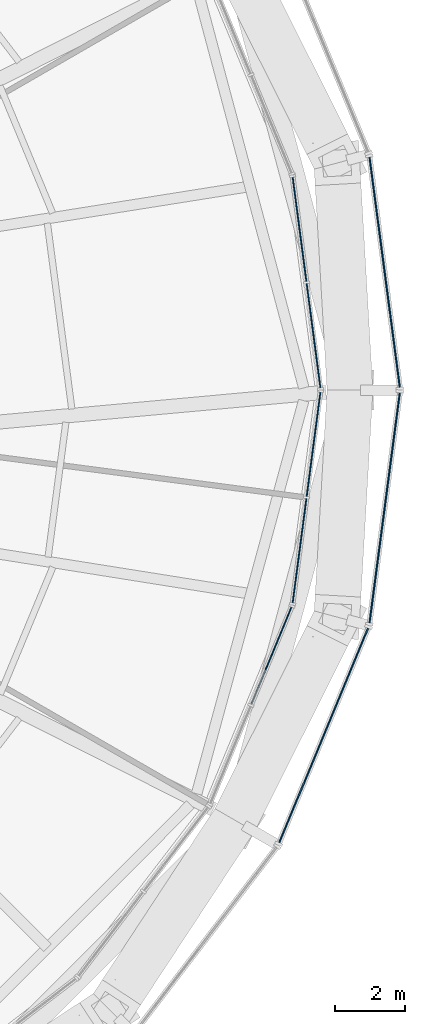
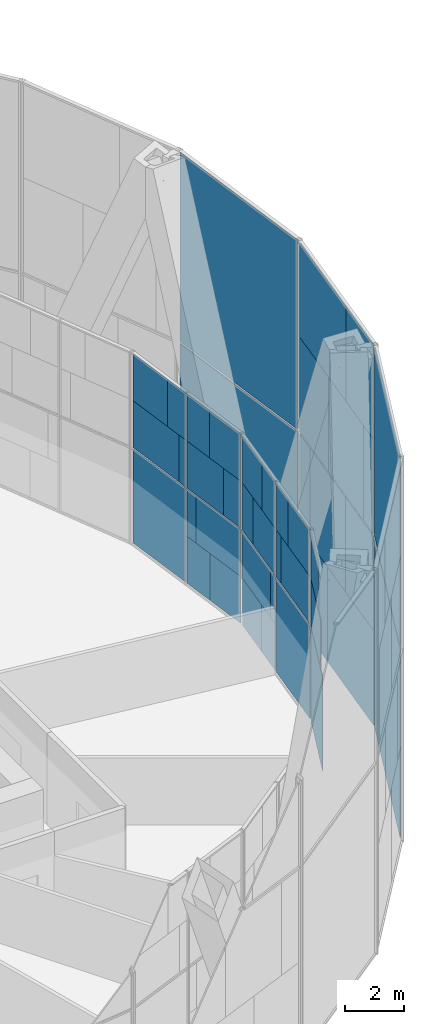
# One storey, part 15 of 22: 43 plates, 6 elements without a shape of their own.
"""IFC4 building model written with IfcOpenShell, lengths in metres."""

from ifc_helpers import new_model, si_unit, direction, frame, origin, origin_2d, place, context, subcontext, project, spatial, rectangle, extrude, material, layer, layer_set, type_object, element, aggregate, save


model = new_model("IFC4")

# Units and contexts
model_context = context("Model", 3, precision=1e-05, world=origin(), true_north=direction((0.0, 1.0)))
body_context = subcontext(model_context, "Body", "Model", "MODEL_VIEW")
ifc_project = project(units=[si_unit("LENGTHUNIT", "METRE"), si_unit("AREAUNIT", "SQUARE_METRE"), si_unit("VOLUMEUNIT", "CUBIC_METRE"), si_unit("PLANEANGLEUNIT", "RADIAN"), si_unit("MASSUNIT", "GRAM", prefix="KILO")], contexts=[model_context])

# Site, building, storey
site_placement = place(None, origin())
site = spatial("IfcSite", under=ifc_project, at=site_placement, CompositionType="ELEMENT")
building_placement = place(site_placement, origin())
building = spatial("IfcBuilding", under=site, at=building_placement, Name="Golbaran Civic Tower", CompositionType="ELEMENT")
storey_placement = place(building_placement, frame((0.0, 0.0, 53.0)))
storey = spatial("IfcBuildingStorey", under=building, at=storey_placement, Name="L12", CompositionType="ELEMENT", Elevation=53.0)

# Curtain wall, plates
ifc_material_1 = material(Name="Aluminium and glass", Category="aluminium")
curtain_wall_type_1 = type_object("IfcCurtainWallType", Name="INNER SKIN CURTAIN WALL", PredefinedType="NOTDEFINED", material=ifc_material_1)
curtain_wall_1_placement = place(storey_placement, origin())
curtain_wall_1 = element("IfcCurtainWall", 1, at=curtain_wall_1_placement, inside=storey, type_object=curtain_wall_type_1, Name="Inner skin L12 facet 1 CW1", ObjectType="INNER SKIN", PredefinedType="USERDEFINED")
ifc_material_2 = material(Name="Clear insulating glass", Category="glass")
ifc_layer_1 = layer(ifc_material_2, 0.031982421875, Name="Clear insulating glass")
ifc_layer_set_1 = layer_set([ifc_layer_1], Name="Clear insulating glass")
plate_type_1 = type_object("IfcPlateType", Name="INNER SKIN CURTAIN WALL GLAZED PANEL", PredefinedType="CURTAIN_PANEL", material=ifc_layer_set_1)
plate_1_placement = place(storey_placement, frame((23.270263671875, 2.389892578125, 0.06494140625), z_axis=(0.0, 0.0, 1.0), x_axis=(-0.13052619222, 0.991444861374, 0.0)))
plate_1 = element("IfcPlate", 2, at=plate_1_placement, type_object=plate_type_1, Name="CW1 panel 1.1 part 2", PredefinedType="CURTAIN_PANEL", context=body_context, shape_type="SweptSolid", body=[
    extrude(rectangle(XDim=1.27099609375, YDim=0.031982421875, at=origin_2d()), origin(), (0.0, 0.0, 1.0), 1.951171875),
])
plate_2_placement = place(storey_placement, frame((23.21923828125, 2.779052734375, 2.016357421875), z_axis=(0.0, 0.0, 1.0), x_axis=(-0.13052619222, 0.991444861374, 0.0)))
plate_2 = element("IfcPlate", 3, at=plate_2_placement, type_object=plate_type_1, Name="CW1 panel 1.1 part 4", PredefinedType="CURTAIN_PANEL", context=body_context, shape_type="SweptSolid", body=[
    extrude(rectangle(XDim=0.48583984375, YDim=0.031982421875, at=origin_2d()), origin(), (0.0, 0.0, 1.0), 1.951171875),
])
plate_3_placement = place(storey_placement, frame((23.514404296875, 0.536376953125, 4.032470703125), z_axis=(0.0, 0.0, 1.0), x_axis=(-0.13052619222, 0.991444861374, 0.0)))
plate_3 = element("IfcPlate", 4, at=plate_3_placement, type_object=plate_type_1, Name="CW1 panel 1.2 part 1", PredefinedType="CURTAIN_PANEL", context=body_context, shape_type="SweptSolid", body=[
    extrude(rectangle(XDim=0.951904296875, YDim=0.031982421875, at=origin_2d()), origin(), (0.0, 0.0, 1.0), 1.951171875),
])
plate_4_placement = place(storey_placement, frame((23.462890625, 0.927490234375, 5.98388671875), z_axis=(0.0, 0.0, 1.0), x_axis=(-0.13052619222, 0.991444861374, 0.0)))
plate_4 = element("IfcPlate", 5, at=plate_4_placement, type_object=plate_type_1, Name="CW1 panel 1.2 part 3", PredefinedType="CURTAIN_PANEL", context=body_context, shape_type="SweptSolid", body=[
    extrude(rectangle(XDim=1.740966796875, YDim=0.031982421875, at=origin_2d()), origin(), (0.0, 0.0, 1.0), 1.951171875),
])
plate_5_placement = place(storey_placement, frame((22.984375, 4.56201171875, 0.06494140625), z_axis=(0.0, 0.0, 1.0), x_axis=(-0.13052619222, 0.991444861374, 0.0)))
plate_5 = element("IfcPlate", 6, at=plate_5_placement, type_object=plate_type_1, Name="CW1 panel 2.1", PredefinedType="CURTAIN_PANEL", context=body_context, shape_type="SweptSolid", body=[
    extrude(rectangle(XDim=2.98095703125, YDim=0.031982421875, at=origin_2d()), origin(), (0.0, 0.0, 1.0), 3.902587890625),
])
plate_6_placement = place(storey_placement, frame((22.958251953125, 4.76025390625, 4.032470703125), z_axis=(0.0, 0.0, 1.0), x_axis=(-0.13052619222, 0.991444861374, 0.0)))
plate_6 = element("IfcPlate", 7, at=plate_6_placement, type_object=plate_type_1, Name="CW1 panel 2.2 part 2", PredefinedType="CURTAIN_PANEL", context=body_context, shape_type="SweptSolid", body=[
    extrude(rectangle(XDim=2.5810546875, YDim=0.031982421875, at=origin_2d()), origin(), (0.0, 0.0, 1.0), 1.951171875),
])
plate_7_placement = place(storey_placement, frame((22.916259765625, 5.080078125, 5.98388671875), z_axis=(0.0, 0.0, 1.0), x_axis=(-0.13052619222, 0.991444861374, 0.0)))
plate_7 = element("IfcPlate", 8, at=plate_7_placement, type_object=plate_type_1, Name="CW1 panel 2.2 part 4", PredefinedType="CURTAIN_PANEL", context=body_context, shape_type="SweptSolid", body=[
    extrude(rectangle(XDim=1.93603515625, YDim=0.031982421875, at=origin_2d()), origin(), (0.0, 0.0, 1.0), 1.951171875),
])

curtain_wall_2_placement = place(storey_placement, origin())
curtain_wall_2 = element("IfcCurtainWall", 9, at=curtain_wall_2_placement, inside=storey, type_object=curtain_wall_type_1, Name="Inner skin L12 facet 23 CW1", ObjectType="INNER SKIN", PredefinedType="USERDEFINED")
plate_8_placement = place(storey_placement, frame((22.18603515625, -7.541259765625, 0.06494140625), z_axis=(0.0, 0.0, 1.0), x_axis=(0.382683432413, 0.923879532491, 0.0)))
plate_8 = element("IfcPlate", 10, at=plate_8_placement, type_object=plate_type_1, Name="CW1 panel 2.1", PredefinedType="CURTAIN_PANEL", context=body_context, shape_type="SweptSolid", body=[
    extrude(rectangle(XDim=2.98095703125, YDim=0.031982421875, at=origin_2d()), origin(), (0.0, 0.0, 1.0), 3.902587890625),
])
plate_9_placement = place(storey_placement, frame((22.2626953125, -7.3564453125, 4.032470703125), z_axis=(0.0, 0.0, 1.0), x_axis=(0.382683432413, 0.923879532491, 0.0)))
plate_9 = element("IfcPlate", 11, at=plate_9_placement, type_object=plate_type_1, Name="CW1 panel 2.2 part 2", PredefinedType="CURTAIN_PANEL", context=body_context, shape_type="SweptSolid", body=[
    extrude(rectangle(XDim=2.5810546875, YDim=0.031982421875, at=origin_2d()), origin(), (0.0, 0.0, 1.0), 1.951171875),
])
plate_10_placement = place(storey_placement, frame((22.385986328125, -7.05859375, 5.98388671875), z_axis=(0.0, 0.0, 1.0), x_axis=(0.382683432413, 0.923879532491, 0.0)))
plate_10 = element("IfcPlate", 12, at=plate_10_placement, type_object=plate_type_1, Name="CW1 panel 2.2 part 4", PredefinedType="CURTAIN_PANEL", context=body_context, shape_type="SweptSolid", body=[
    extrude(rectangle(XDim=1.93603515625, YDim=0.031982421875, at=origin_2d()), origin(), (0.0, 0.0, 1.0), 1.951171875),
])
aggregate(curtain_wall_2, [plate_8, plate_9, plate_10])

curtain_wall_3_placement = place(storey_placement, origin())
curtain_wall_3 = element("IfcCurtainWall", 13, at=curtain_wall_3_placement, inside=storey, type_object=curtain_wall_type_1, Name="Inner skin L12 facet 24 CW1", ObjectType="INNER SKIN", PredefinedType="USERDEFINED")
plate_11_placement = place(storey_placement, frame((22.984375, -4.56201171875, 0.06494140625), z_axis=(0.0, 0.0, 1.0), x_axis=(0.13052619222, 0.991444861374, 0.0)))
plate_11 = element("IfcPlate", 14, at=plate_11_placement, type_object=plate_type_1, Name="CW1 panel 1.1", PredefinedType="CURTAIN_PANEL", context=body_context, shape_type="SweptSolid", body=[
    extrude(rectangle(XDim=2.98095703125, YDim=0.031982421875, at=origin_2d()), origin(), (0.0, 0.0, 1.0), 3.902587890625),
])
plate_12_placement = place(storey_placement, frame((22.958251953125, -4.76123046875, 4.032470703125), z_axis=(0.0, 0.0, 1.0), x_axis=(0.13052619222, 0.991444861374, 0.0)))
plate_12 = element("IfcPlate", 15, at=plate_12_placement, type_object=plate_type_1, Name="CW1 panel 1.2 part 1", PredefinedType="CURTAIN_PANEL", context=body_context, shape_type="SweptSolid", body=[
    extrude(rectangle(XDim=2.5791015625, YDim=0.031982421875, at=origin_2d()), origin(), (0.0, 0.0, 1.0), 1.951171875),
])
plate_13_placement = place(storey_placement, frame((22.916259765625, -5.080078125, 5.98388671875), z_axis=(0.0, 0.0, 1.0), x_axis=(0.13052619222, 0.991444861374, 0.0)))
plate_13 = element("IfcPlate", 16, at=plate_13_placement, type_object=plate_type_1, Name="CW1 panel 1.2 part 3", PredefinedType="CURTAIN_PANEL", context=body_context, shape_type="SweptSolid", body=[
    extrude(rectangle(XDim=1.93603515625, YDim=0.031982421875, at=origin_2d()), origin(), (0.0, 0.0, 1.0), 1.951171875),
])
plate_14_placement = place(storey_placement, frame((23.270263671875, -2.389892578125, 0.06494140625), z_axis=(0.0, 0.0, 1.0), x_axis=(0.13052619222, 0.991444861374, 0.0)))
plate_14 = element("IfcPlate", 17, at=plate_14_placement, type_object=plate_type_1, Name="CW1 panel 2.1 part 1", PredefinedType="CURTAIN_PANEL", context=body_context, shape_type="SweptSolid", body=[
    extrude(rectangle(XDim=1.27099609375, YDim=0.031982421875, at=origin_2d()), origin(), (0.0, 0.0, 1.0), 1.951171875),
])
plate_15_placement = place(storey_placement, frame((23.21923828125, -2.779052734375, 2.016357421875), z_axis=(0.0, 0.0, 1.0), x_axis=(0.13052619222, 0.991444861374, 0.0)))
plate_15 = element("IfcPlate", 18, at=plate_15_placement, type_object=plate_type_1, Name="CW1 panel 2.1 part 3", PredefinedType="CURTAIN_PANEL", context=body_context, shape_type="SweptSolid", body=[
    extrude(rectangle(XDim=0.486083984375, YDim=0.031982421875, at=origin_2d()), origin(), (0.0, 0.0, 1.0), 1.951171875),
])
plate_16_placement = place(storey_placement, frame((23.514404296875, -0.536376953125, 4.032470703125), z_axis=(0.0, 0.0, 1.0), x_axis=(0.13052619222, 0.991444861374, 0.0)))
plate_16 = element("IfcPlate", 19, at=plate_16_placement, type_object=plate_type_1, Name="CW1 panel 2.2 part 2", PredefinedType="CURTAIN_PANEL", context=body_context, shape_type="SweptSolid", body=[
    extrude(rectangle(XDim=0.951904296875, YDim=0.031982421875, at=origin_2d()), origin(), (0.0, 0.0, 1.0), 1.951171875),
])
plate_17_placement = place(storey_placement, frame((23.462890625, -0.927490234375, 5.98388671875), z_axis=(0.0, 0.0, 1.0), x_axis=(0.13052619222, 0.991444861374, 0.0)))
plate_17 = element("IfcPlate", 20, at=plate_17_placement, type_object=plate_type_1, Name="CW1 panel 2.2 part 4", PredefinedType="CURTAIN_PANEL", context=body_context, shape_type="SweptSolid", body=[
    extrude(rectangle(XDim=1.740966796875, YDim=0.031982421875, at=origin_2d()), origin(), (0.0, 0.0, 1.0), 1.951171875),
])

# Plate
ifc_material_3 = material(Name="Aluminium faced opaque infill panel", Category="aluminium")
ifc_layer_2 = layer(ifc_material_3, 0.031982421875, Name="Aluminium faced opaque infill panel")
ifc_layer_set_2 = layer_set([ifc_layer_2], Name="Aluminium faced opaque infill panel")
plate_type_2 = type_object("IfcPlateType", Name="INNER SKIN CURTAIN WALL OPAQUE INFILL PANEL", PredefinedType="CURTAIN_PANEL", material=ifc_layer_set_2)
plate_18_placement = place(storey_placement, frame((23.46484375, 0.912109375, 0.06494140625), z_axis=(0.0, 0.0, 1.0), x_axis=(-0.13052619222, 0.991444861374, 0.0)))
plate_18 = element("IfcPlate", 21, at=plate_18_placement, type_object=plate_type_2, Name="CW1 infill panel 1.1 part 1", PredefinedType="CURTAIN_PANEL", context=body_context, shape_type="SweptSolid", body=[
    extrude(rectangle(XDim=1.7099609375, YDim=0.031982421875, at=origin_2d()), origin(), (0.0, 0.0, 1.0), 1.951171875),
])

plate_19_placement = place(storey_placement, frame((23.41357421875, 1.30126953125, 2.016357421875), z_axis=(0.0, 0.0, 1.0), x_axis=(-0.13052619222, 0.991444861374, 0.0)))
plate_19 = element("IfcPlate", 22, at=plate_19_placement, type_object=plate_type_2, Name="CW1 infill panel 1.1 part 3", PredefinedType="CURTAIN_PANEL", context=body_context, shape_type="SweptSolid", body=[
    extrude(rectangle(XDim=2.4951171875, YDim=0.031982421875, at=origin_2d()), origin(), (0.0, 0.0, 1.0), 1.951171875),
])

plate_20_placement = place(storey_placement, frame((23.31982421875, 2.01416015625, 4.032470703125), z_axis=(0.0, 0.0, 1.0), x_axis=(-0.13052619222, 0.991444861374, 0.0)))
plate_20 = element("IfcPlate", 23, at=plate_20_placement, type_object=plate_type_2, Name="CW1 infill panel 1.2 part 2", PredefinedType="CURTAIN_PANEL", context=body_context, shape_type="SweptSolid", body=[
    extrude(rectangle(XDim=2.029052734375, YDim=0.031982421875, at=origin_2d()), origin(), (0.0, 0.0, 1.0), 1.951171875),
])

plate_21_placement = place(storey_placement, frame((23.268310546875, 2.4052734375, 5.98388671875), z_axis=(0.0, 0.0, 1.0), x_axis=(-0.13052619222, 0.991444861374, 0.0)))
plate_21 = element("IfcPlate", 24, at=plate_21_placement, type_object=plate_type_2, Name="CW1 infill panel 1.2 part 4", PredefinedType="CURTAIN_PANEL", context=body_context, shape_type="SweptSolid", body=[
    extrude(rectangle(XDim=1.239990234375, YDim=0.031982421875, at=origin_2d()), origin(), (0.0, 0.0, 1.0), 1.951171875),
])

plate_22_placement = place(storey_placement, frame((23.15283203125, 3.28271484375, 4.032470703125), z_axis=(0.0, 0.0, 1.0), x_axis=(-0.13052619222, 0.991444861374, 0.0)))
plate_22 = element("IfcPlate", 25, at=plate_22_placement, type_object=plate_type_2, Name="CW1 infill panel 2.2 part 1", PredefinedType="CURTAIN_PANEL", context=body_context, shape_type="SweptSolid", body=[
    extrude(rectangle(XDim=0.39990234375, YDim=0.031982421875, at=origin_2d()), origin(), (0.0, 0.0, 1.0), 1.951171875),
])

plate_23_placement = place(storey_placement, frame((23.11083984375, 3.602294921875, 5.98388671875), z_axis=(0.0, 0.0, 1.0), x_axis=(-0.13052619222, 0.991444861374, 0.0)))
plate_23 = element("IfcPlate", 26, at=plate_23_placement, type_object=plate_type_2, Name="CW1 infill panel 2.2 part 3", PredefinedType="CURTAIN_PANEL", context=body_context, shape_type="SweptSolid", body=[
    extrude(rectangle(XDim=1.044921875, YDim=0.031982421875, at=origin_2d()), origin(), (0.0, 0.0, 1.0), 1.951171875),
])

aggregate(curtain_wall_1, [plate_18, plate_1, plate_19, plate_2, plate_3, plate_20, plate_4, plate_21, plate_5, plate_22, plate_6, plate_23, plate_7])

plate_24_placement = place(storey_placement, frame((23.152587890625, -3.28369140625, 4.032470703125), z_axis=(0.0, 0.0, 1.0), x_axis=(0.13052619222, 0.991444861374, 0.0)))
plate_24 = element("IfcPlate", 27, at=plate_24_placement, type_object=plate_type_2, Name="CW1 infill panel 1.2 part 2", PredefinedType="CURTAIN_PANEL", context=body_context, shape_type="SweptSolid", body=[
    extrude(rectangle(XDim=0.40185546875, YDim=0.031982421875, at=origin_2d()), origin(), (0.0, 0.0, 1.0), 1.951171875),
])

plate_25_placement = place(storey_placement, frame((23.11083984375, -3.602294921875, 5.98388671875), z_axis=(0.0, 0.0, 1.0), x_axis=(0.13052619222, 0.991444861374, 0.0)))
plate_25 = element("IfcPlate", 28, at=plate_25_placement, type_object=plate_type_2, Name="CW1 infill panel 1.2 part 4", PredefinedType="CURTAIN_PANEL", context=body_context, shape_type="SweptSolid", body=[
    extrude(rectangle(XDim=1.044921875, YDim=0.031982421875, at=origin_2d()), origin(), (0.0, 0.0, 1.0), 1.951171875),
])

plate_26_placement = place(storey_placement, frame((23.46484375, -0.912109375, 0.06494140625), z_axis=(0.0, 0.0, 1.0), x_axis=(0.13052619222, 0.991444861374, 0.0)))
plate_26 = element("IfcPlate", 29, at=plate_26_placement, type_object=plate_type_2, Name="CW1 infill panel 2.1 part 2", PredefinedType="CURTAIN_PANEL", context=body_context, shape_type="SweptSolid", body=[
    extrude(rectangle(XDim=1.7099609375, YDim=0.031982421875, at=origin_2d()), origin(), (0.0, 0.0, 1.0), 1.951171875),
])

plate_27_placement = place(storey_placement, frame((23.41357421875, -1.30126953125, 2.016357421875), z_axis=(0.0, 0.0, 1.0), x_axis=(0.13052619222, 0.991444861374, 0.0)))
plate_27 = element("IfcPlate", 30, at=plate_27_placement, type_object=plate_type_2, Name="CW1 infill panel 2.1 part 4", PredefinedType="CURTAIN_PANEL", context=body_context, shape_type="SweptSolid", body=[
    extrude(rectangle(XDim=2.494873046875, YDim=0.031982421875, at=origin_2d()), origin(), (0.0, 0.0, 1.0), 1.951171875),
])

plate_28_placement = place(storey_placement, frame((23.31982421875, -2.01416015625, 4.032470703125), z_axis=(0.0, 0.0, 1.0), x_axis=(0.13052619222, 0.991444861374, 0.0)))
plate_28 = element("IfcPlate", 31, at=plate_28_placement, type_object=plate_type_2, Name="CW1 infill panel 2.2 part 1", PredefinedType="CURTAIN_PANEL", context=body_context, shape_type="SweptSolid", body=[
    extrude(rectangle(XDim=2.029052734375, YDim=0.031982421875, at=origin_2d()), origin(), (0.0, 0.0, 1.0), 1.951171875),
])

plate_29_placement = place(storey_placement, frame((23.268310546875, -2.4052734375, 5.98388671875), z_axis=(0.0, 0.0, 1.0), x_axis=(0.13052619222, 0.991444861374, 0.0)))
plate_29 = element("IfcPlate", 32, at=plate_29_placement, type_object=plate_type_2, Name="CW1 infill panel 2.2 part 3", PredefinedType="CURTAIN_PANEL", context=body_context, shape_type="SweptSolid", body=[
    extrude(rectangle(XDim=1.239990234375, YDim=0.031982421875, at=origin_2d()), origin(), (0.0, 0.0, 1.0), 1.951171875),
])

aggregate(curtain_wall_3, [plate_11, plate_12, plate_24, plate_13, plate_25, plate_14, plate_26, plate_15, plate_27, plate_28, plate_16, plate_29, plate_17])

# Curtain wall, plates
curtain_wall_type_2 = type_object("IfcCurtainWallType", Name="OUTER SKIN TERRACOTTA SCREEN", PredefinedType="NOTDEFINED", material=ifc_material_1)
curtain_wall_4_placement = place(storey_placement, origin())
curtain_wall_4 = element("IfcCurtainWall", 33, at=curtain_wall_4_placement, inside=storey, type_object=curtain_wall_type_2, Name="Outer skin L12 facet 24 CW3", ObjectType="OUTER SKIN", PredefinedType="USERDEFINED")
ifc_material_4 = material(Name="Clear laminated glass", Category="glass")
ifc_layer_3 = layer(ifc_material_4, 0.0400390625, Name="Clear laminated glass")
ifc_layer_set_3 = layer_set([ifc_layer_3], Name="Clear laminated glass")
plate_type_3 = type_object("IfcPlateType", Name="OUTER SKIN CLEAR GLASS PANEL", PredefinedType="CURTAIN_PANEL", material=ifc_layer_set_3)
plate_30_placement = place(storey_placement, frame((25.23876953125, -4.573974609375, -0.6298828125), z_axis=(0.0, 0.0, 1.0), x_axis=(0.130526192255, 0.991444861369, 0.0)))
plate_30 = element("IfcPlate", 34, at=plate_30_placement, type_object=plate_type_3, Name="CW3 panel 1.1 part 1", PredefinedType="CURTAIN_PANEL", context=body_context, shape_type="SweptSolid", body=[
    extrude(rectangle(XDim=4.10498046875, YDim=0.0400390625, at=origin_2d()), origin(), (0.0, 0.0, 1.0), 3.93994140625),
])
plate_31_placement = place(storey_placement, frame((25.134765625, -5.364013671875, 3.31005859375), z_axis=(0.0, 0.0, 1.0), x_axis=(0.130526192255, 0.991444861369, 0.0)))
plate_31 = element("IfcPlate", 35, at=plate_31_placement, type_object=plate_type_3, Name="CW3 panel 1.1 part 3", PredefinedType="CURTAIN_PANEL", context=body_context, shape_type="SweptSolid", body=[
    extrude(rectangle(XDim=2.510986328125, YDim=0.0400390625, at=origin_2d()), origin(), (0.0, 0.0, 1.0), 3.93994140625),
])
plate_32_placement = place(storey_placement, frame((25.76953125, -0.543212890625, 3.31005859375), z_axis=(0.0, 0.0, 1.0), x_axis=(0.130526192255, 0.991444861369, 0.0)))
plate_32 = element("IfcPlate", 36, at=plate_32_placement, type_object=plate_type_3, Name="CW3 panel 1.1 part 5", PredefinedType="CURTAIN_PANEL", context=body_context, shape_type="SweptSolid", body=[
    extrude(rectangle(XDim=0.935791015625, YDim=0.0400390625, at=origin_2d()), origin(), (0.0, 0.0, 1.0), 3.93994140625),
])
plate_33_placement = place(storey_placement, frame((25.02880859375, -6.169677734375, 7.330078125), z_axis=(0.0, 0.0, 1.0), x_axis=(0.130526192255, 0.991444861369, 0.0)))
plate_33 = element("IfcPlate", 37, at=plate_33_placement, type_object=plate_type_3, Name="CW3 panel 1.2 part 1", PredefinedType="CURTAIN_PANEL", context=body_context, shape_type="SweptSolid", body=[
    extrude(rectangle(XDim=0.885986328125, YDim=0.0400390625, at=origin_2d()), origin(), (0.0, 0.0, 1.0), 3.93994140625),
])
plate_34_placement = place(storey_placement, frame((25.6640625, -1.3447265625, 7.330078125), z_axis=(0.0, 0.0, 1.0), x_axis=(0.130526192255, 0.991444861369, 0.0)))
plate_34 = element("IfcPlate", 38, at=plate_34_placement, type_object=plate_type_3, Name="CW3 panel 1.2 part 3", PredefinedType="CURTAIN_PANEL", context=body_context, shape_type="SweptSolid", body=[
    extrude(rectangle(XDim=2.552734375, YDim=0.0400390625, at=origin_2d()), origin(), (0.0, 0.0, 1.0), 3.93994140625),
])
plate_35_placement = place(storey_placement, frame((25.560546875, -2.130615234375, 11.27001953125), z_axis=(0.0, 0.0, 1.0), x_axis=(0.130526192255, 0.991444861369, 0.0)))
plate_35 = element("IfcPlate", 39, at=plate_35_placement, type_object=plate_type_3, Name="CW3 panel 1.2 part 5", PredefinedType="CURTAIN_PANEL", context=body_context, shape_type="SweptSolid", body=[
    extrude(rectangle(XDim=4.137939453125, YDim=0.0400390625, at=origin_2d()), origin(), (0.0, 0.0, 1.0), 3.93994140625),
])
ifc_material_5 = material(Name="Terracotta baguette screen", Category="masonry")
ifc_layer_4 = layer(ifc_material_5, 0.0400390625, Name="Terracotta baguette screen")
ifc_layer_set_4 = layer_set([ifc_layer_4], Name="Terracotta baguette screen")
plate_type_4 = type_object("IfcPlateType", Name="OUTER SKIN TERRACOTTA INFILL PANEL", PredefinedType="CURTAIN_PANEL", material=ifc_layer_set_4)
plate_36_placement = place(storey_placement, frame((25.668701171875, -1.30908203125, -0.6298828125), z_axis=(0.0, 0.0, 1.0), x_axis=(0.130526192255, 0.991444861369, 0.0)))
plate_36 = element("IfcPlate", 40, at=plate_36_placement, type_object=plate_type_4, Name="CW3 infill panel 1.1 part 2", PredefinedType="CURTAIN_PANEL", context=body_context, shape_type="SweptSolid", body=[
    extrude(rectangle(XDim=2.48095703125, YDim=0.0400390625, at=origin_2d()), origin(), (0.0, 0.0, 1.0), 3.93994140625),
])
plate_37_placement = place(storey_placement, frame((25.503662109375, -2.563232421875, 3.31005859375), z_axis=(0.0, 0.0, 1.0), x_axis=(0.130526192255, 0.991444861369, 0.0)))
plate_37 = element("IfcPlate", 41, at=plate_37_placement, type_object=plate_type_4, Name="CW3 infill panel 1.1 part 4", PredefinedType="CURTAIN_PANEL", context=body_context, shape_type="SweptSolid", body=[
    extrude(rectangle(XDim=3.138916015625, YDim=0.0400390625, at=origin_2d()), origin(), (0.0, 0.0, 1.0), 3.93994140625),
])
plate_38_placement = place(storey_placement, frame((25.2919921875, -4.17041015625, 7.330078125), z_axis=(0.0, 0.0, 1.0), x_axis=(0.130526192255, 0.991444861369, 0.0)))
plate_38 = element("IfcPlate", 42, at=plate_38_placement, type_object=plate_type_4, Name="CW3 infill panel 1.2 part 2", PredefinedType="CURTAIN_PANEL", context=body_context, shape_type="SweptSolid", body=[
    extrude(rectangle(XDim=3.14697265625, YDim=0.0400390625, at=origin_2d()), origin(), (0.0, 0.0, 1.0), 3.93994140625),
])
plate_39_placement = place(storey_placement, frame((25.130615234375, -5.395263671875, 11.27001953125), z_axis=(0.0, 0.0, 1.0), x_axis=(0.130526192255, 0.991444861369, 0.0)))
plate_39 = element("IfcPlate", 43, at=plate_39_placement, type_object=plate_type_4, Name="CW3 infill panel 1.2 part 4", PredefinedType="CURTAIN_PANEL", context=body_context, shape_type="SweptSolid", body=[
    extrude(rectangle(XDim=2.447998046875, YDim=0.0400390625, at=origin_2d()), origin(), (0.0, 0.0, 1.0), 3.93994140625),
])
aggregate(curtain_wall_4, [plate_30, plate_36, plate_31, plate_37, plate_32, plate_33, plate_38, plate_34, plate_39, plate_35])

curtain_wall_5_placement = place(storey_placement, origin())
curtain_wall_5 = element("IfcCurtainWall", 44, at=curtain_wall_5_placement, inside=storey, type_object=curtain_wall_type_2, Name="Outer skin L12 facet 1 CW3", ObjectType="OUTER SKIN", PredefinedType="USERDEFINED")
ifc_layer_5 = layer(ifc_material_5, 0.0400390625, Name="Terracotta baguette screen")
ifc_layer_set_5 = layer_set([ifc_layer_5], Name="Terracotta baguette screen")
plate_type_5 = type_object("IfcPlateType", Name="OUTER SKIN TERRACOTTA SCREEN PANEL", PredefinedType="CURTAIN_PANEL", material=ifc_layer_set_5)
plate_40_placement = place(storey_placement, frame((25.400634765625, 3.343994140625, -0.6298828125), z_axis=(0.0, 0.0, 1.0), x_axis=(-0.130526192255, 0.991444861369, 0.0)))
plate_40 = element("IfcPlate", 45, at=plate_40_placement, type_object=plate_type_5, Name="CW3 terracotta screen panel 1.1", PredefinedType="CURTAIN_PANEL", context=body_context, shape_type="SweptSolid", body=[
    extrude(rectangle(XDim=6.5859375, YDim=0.0400390625, at=origin_2d()), origin(), (0.0, 0.0, 1.0), 7.8798828125),
])
plate_41_placement = place(storey_placement, frame((25.400634765625, 3.343994140625, 7.330078125), z_axis=(0.0, 0.0, 1.0), x_axis=(-0.130526192255, 0.991444861369, 0.0)))
plate_41 = element("IfcPlate", 46, at=plate_41_placement, type_object=plate_type_5, Name="CW3 terracotta screen panel 1.2", PredefinedType="CURTAIN_PANEL", context=body_context, shape_type="SweptSolid", body=[
    extrude(rectangle(XDim=6.5859375, YDim=0.0400390625, at=origin_2d()), origin(), (0.0, 0.0, 1.0), 7.8798828125),
])
aggregate(curtain_wall_5, [plate_40, plate_41])

curtain_wall_6_placement = place(storey_placement, origin())
curtain_wall_6 = element("IfcCurtainWall", 47, at=curtain_wall_6_placement, inside=storey, type_object=curtain_wall_type_2, Name="Outer skin L12 facet 23 CW3", ObjectType="OUTER SKIN", PredefinedType="USERDEFINED")
plate_42_placement = place(storey_placement, frame((23.669677734375, -9.804443359375, -0.6298828125), z_axis=(0.0, 0.0, 1.0), x_axis=(0.382683432349, 0.923879532518, 0.0)))
plate_42 = element("IfcPlate", 48, at=plate_42_placement, type_object=plate_type_5, Name="CW3 terracotta screen panel 1.1", PredefinedType="CURTAIN_PANEL", context=body_context, shape_type="SweptSolid", body=[
    extrude(rectangle(XDim=6.5859375, YDim=0.0400390625, at=origin_2d()), origin(), (0.0, 0.0, 1.0), 7.8798828125),
])
plate_43_placement = place(storey_placement, frame((23.669677734375, -9.804443359375, 7.330078125), z_axis=(0.0, 0.0, 1.0), x_axis=(0.382683432349, 0.923879532518, 0.0)))
plate_43 = element("IfcPlate", 49, at=plate_43_placement, type_object=plate_type_5, Name="CW3 terracotta screen panel 1.2", PredefinedType="CURTAIN_PANEL", context=body_context, shape_type="SweptSolid", body=[
    extrude(rectangle(XDim=6.5859375, YDim=0.0400390625, at=origin_2d()), origin(), (0.0, 0.0, 1.0), 7.8798828125),
])
aggregate(curtain_wall_6, [plate_42, plate_43])

save(model, "model.ifc")
